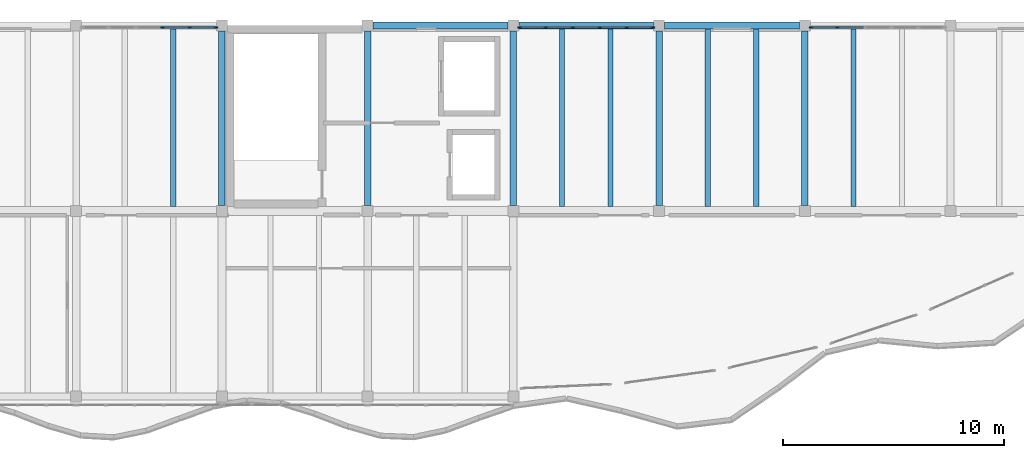
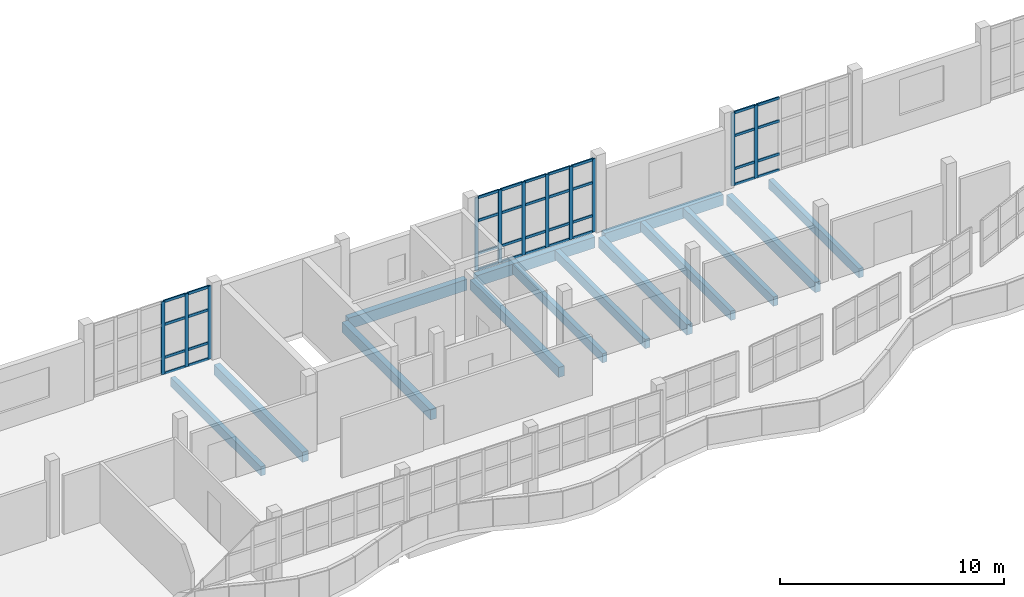
# One storey, part 14 of 47: 47 members, 14 beams, 3 elements without a shape of their own.
"""IFC4 building model written with IfcOpenShell, lengths in metres."""

from ifc_helpers import new_model, si_unit, direction, frame, origin, origin_2d, place, context, subcontext, project, spatial, rectangle, extrude, material, material_profile, profile_set, type_object, element, aggregate, save


model = new_model("IFC4")

# Units and contexts
model_context = context("Model", 3, precision=1e-05, world=origin(), true_north=direction((0.0, 1.0)))
body_context = subcontext(model_context, "Body", "Model", "MODEL_VIEW")
ifc_project = project(units=[si_unit("LENGTHUNIT", "METRE"), si_unit("AREAUNIT", "SQUARE_METRE"), si_unit("VOLUMEUNIT", "CUBIC_METRE"), si_unit("PLANEANGLEUNIT", "RADIAN"), si_unit("MASSUNIT", "GRAM", prefix="KILO")], contexts=[model_context])

# Site, building, storey
site_placement = place(None, origin())
site = spatial("IfcSite", under=ifc_project, at=site_placement, CompositionType="ELEMENT")
building_placement = place(site_placement, origin())
building = spatial("IfcBuilding", under=site, at=building_placement, Name="Qaldarim Faculty of Natural and Applied Sciences", CompositionType="ELEMENT")
storey_placement = place(building_placement, frame((0.0, 0.0, 22.800048828125)))
storey = spatial("IfcBuildingStorey", under=building, at=storey_placement, Name="L05", CompositionType="ELEMENT", Elevation=22.800048828125)

# Beams
ifc_material_1 = material(Name="Concrete C40/50", Category="concrete")
ifc_material_profile_1 = material_profile(ifc_material_1, rectangle(XDim=0.300048828125, YDim=0.550048828125, at=origin_2d()), Name="RC-B300x550")
ifc_profile_set_1 = profile_set([ifc_material_profile_1], Name="Concrete C40/50")
beam_type_1 = type_object("IfcBeamType", Name="FloorBeam-RC300x550", PredefinedType="BEAM", material=ifc_profile_set_1)
for number, where, z_axis, x_axis, name in (
    (1, (99.0, 109.449951171875, -0.53515625), (0.0, 1.0, 0.0), (-1.0, 0.0, 0.0), "Beam RC-B300x550 L04 X16/Y14-Y15"),
    (2, (105.60009765625, 109.449951171875, -0.53515625), (0.0, 1.0, 0.0), (-1.0, 0.0, 0.0), "Beam RC-B300x550 L04 X17/Y14-Y15"),
    (3, (112.199951171875, 109.449951171875, -0.53515625), (0.0, 1.0, 0.0), (-1.0, 0.0, 0.0), "Beam RC-B300x550 L04 X18/Y14-Y15"),
    (4, (118.800048828125, 109.449951171875, -0.53515625), (0.0, 1.0, 0.0), (-1.0, 0.0, 0.0), "Beam RC-B300x550 L04 X19/Y14-Y15"),
    (5, (125.39990234375, 109.449951171875, -0.53515625), (0.0, 1.0, 0.0), (-1.0, 0.0, 0.0), "Beam RC-B300x550 L04 X20/Y14-Y15"),
):
    element("IfcBeam", number, at=place(storey_placement, frame(where, z_axis=z_axis, x_axis=x_axis)), inside=storey, type_object=beam_type_1, Name=name, PredefinedType="BEAM", context=body_context, shape_type="SweptSolid", body=[
        extrude(rectangle(XDim=0.300048828125, YDim=0.550048828125, at=origin_2d()), origin(), (0.0, 0.0, 1.0), 7.900146484375),
    ])
ifc_material_profile_2 = material_profile(ifc_material_1, rectangle(XDim=0.239990234375, YDim=0.5, at=origin_2d()), Name="RC-J240x500")
ifc_profile_set_2 = profile_set([ifc_material_profile_2], Name="Concrete C40/50")
beam_type_2 = type_object("IfcBeamType", Name="HeavyJoist-RC240x500", PredefinedType="JOIST", material=ifc_profile_set_2)
for number, where, z_axis, x_axis, name in (
    (6, (96.800048828125, 109.39990234375, -0.510009765625), (0.0, 1.0, 0.0), (-1.0, 0.0, 0.0), "Laboratory joist L04 bay X15Y14-2"),
    (7, (114.39990234375, 109.39990234375, -0.510009765625), (0.0, 1.0, 0.0), (-1.0, 0.0, 0.0), "Laboratory joist L04 bay X18Y14-1"),
    (8, (116.60009765625, 109.39990234375, -0.510009765625), (0.0, 1.0, 0.0), (-1.0, 0.0, 0.0), "Laboratory joist L04 bay X18Y14-2"),
    (9, (121.0, 109.39990234375, -0.510009765625), (0.0, 1.0, 0.0), (-1.0, 0.0, 0.0), "Laboratory joist L04 bay X19Y14-1"),
    (10, (123.199951171875, 109.39990234375, -0.510009765625), (0.0, 1.0, 0.0), (-1.0, 0.0, 0.0), "Laboratory joist L04 bay X19Y14-2"),
    (11, (127.60009765625, 109.39990234375, -0.510009765625), (0.0, 1.0, 0.0), (-1.0, 0.0, 0.0), "Laboratory joist L04 bay X20Y14-1"),
):
    element("IfcBeam", number, at=place(storey_placement, frame(where, z_axis=z_axis, x_axis=x_axis)), inside=storey, type_object=beam_type_2, Name=name, PredefinedType="JOIST", context=body_context, shape_type="SweptSolid", body=[
        extrude(rectangle(XDim=0.239990234375, YDim=0.5, at=origin_2d()), origin(), (0.0, 0.0, 1.0), 8.050048828125),
    ])

# Curtain wall, members
ifc_material_2 = material(Name="Anodised aluminium AW-6063", Category="aluminium")
curtain_wall_type = type_object("IfcCurtainWallType", Name="CurtainWallSystem-M1200", PredefinedType="USERDEFINED", material=ifc_material_2)
curtain_wall_1_placement = place(storey_placement, origin())
curtain_wall_1 = element("IfcCurtainWall", 12, at=curtain_wall_1_placement, inside=storey, type_object=curtain_wall_type, Name="Curtain wall CW-L05-N-X15Y14", ObjectType="STICK CURTAIN WALL", PredefinedType="USERDEFINED")
ifc_material_profile_3 = material_profile(ifc_material_2, rectangle(XDim=0.070068359375, YDim=0.179931640625, at=origin_2d()), Name="ALU-M70x180")
ifc_profile_set_3 = profile_set([ifc_material_profile_3], Name="Anodised aluminium AW-6063")
member_type_1 = type_object("IfcMemberType", Name="Mullion-ALU70x180", PredefinedType="MULLION", material=ifc_profile_set_3)
member_1_placement = place(storey_placement, frame((98.719970703125, 117.52001953125, 0.0), z_axis=(0.0, 0.0, 1.0), x_axis=(0.0, -1.0, 0.0)))
member_1 = element("IfcMember", 13, at=member_1_placement, type_object=member_type_1, Name="Mullion 1 of CW-L05-N-X15Y14", PredefinedType="MULLION", context=body_context, shape_type="SweptSolid", body=[
    extrude(rectangle(XDim=0.070068359375, YDim=0.179931640625, at=origin_2d()), origin(), (0.0, 0.0, 1.0), 3.97998046875),
])
member_2_placement = place(storey_placement, frame((97.532958984375, 117.52001953125, 0.0), z_axis=(0.0, 0.0, 1.0), x_axis=(0.0, -1.0, 0.0)))
member_2 = element("IfcMember", 14, at=member_2_placement, type_object=member_type_1, Name="Mullion 2 of CW-L05-N-X15Y14", PredefinedType="MULLION", context=body_context, shape_type="SweptSolid", body=[
    extrude(rectangle(XDim=0.070068359375, YDim=0.179931640625, at=origin_2d()), origin(), (0.0, 0.0, 1.0), 3.97998046875),
])
member_3_placement = place(storey_placement, frame((96.31103515625, 117.52001953125, 0.0), z_axis=(0.0, 0.0, 1.0), x_axis=(0.0, -1.0, 0.0)))
member_3 = element("IfcMember", 15, at=member_3_placement, type_object=member_type_1, Name="Mullion 3 of CW-L05-N-X15Y14", PredefinedType="MULLION", context=body_context, shape_type="SweptSolid", body=[
    extrude(rectangle(XDim=0.070068359375, YDim=0.179931640625, at=origin_2d()), origin(), (0.0, 0.0, 1.0), 3.97998046875),
])

curtain_wall_2_placement = place(storey_placement, origin())
curtain_wall_2 = element("IfcCurtainWall", 16, at=curtain_wall_2_placement, inside=storey, type_object=curtain_wall_type, Name="Curtain wall CW-L05-N-X18Y14", ObjectType="STICK CURTAIN WALL", PredefinedType="USERDEFINED")
member_4_placement = place(storey_placement, frame((118.52001953125, 117.52001953125, 0.0), z_axis=(0.0, 0.0, 1.0), x_axis=(0.0, -1.0, 0.0)))
member_4 = element("IfcMember", 17, at=member_4_placement, type_object=member_type_1, Name="Mullion 1 of CW-L05-N-X18Y14", PredefinedType="MULLION", context=body_context, shape_type="SweptSolid", body=[
    extrude(rectangle(XDim=0.070068359375, YDim=0.179931640625, at=origin_2d()), origin(), (0.0, 0.0, 1.0), 3.97998046875),
])
member_5_placement = place(storey_placement, frame((117.3330078125, 117.52001953125, 0.0), z_axis=(0.0, 0.0, 1.0), x_axis=(0.0, -1.0, 0.0)))
member_5 = element("IfcMember", 18, at=member_5_placement, type_object=member_type_1, Name="Mullion 2 of CW-L05-N-X18Y14", PredefinedType="MULLION", context=body_context, shape_type="SweptSolid", body=[
    extrude(rectangle(XDim=0.070068359375, YDim=0.179931640625, at=origin_2d()), origin(), (0.0, 0.0, 1.0), 3.97998046875),
])
member_6_placement = place(storey_placement, frame((116.111083984375, 117.52001953125, 0.0), z_axis=(0.0, 0.0, 1.0), x_axis=(0.0, -1.0, 0.0)))
member_6 = element("IfcMember", 19, at=member_6_placement, type_object=member_type_1, Name="Mullion 3 of CW-L05-N-X18Y14", PredefinedType="MULLION", context=body_context, shape_type="SweptSolid", body=[
    extrude(rectangle(XDim=0.070068359375, YDim=0.179931640625, at=origin_2d()), origin(), (0.0, 0.0, 1.0), 3.97998046875),
])
member_7_placement = place(storey_placement, frame((114.888916015625, 117.52001953125, 0.0), z_axis=(0.0, 0.0, 1.0), x_axis=(0.0, -1.0, 0.0)))
member_7 = element("IfcMember", 20, at=member_7_placement, type_object=member_type_1, Name="Mullion 4 of CW-L05-N-X18Y14", PredefinedType="MULLION", context=body_context, shape_type="SweptSolid", body=[
    extrude(rectangle(XDim=0.070068359375, YDim=0.179931640625, at=origin_2d()), origin(), (0.0, 0.0, 1.0), 3.97998046875),
])
member_8_placement = place(storey_placement, frame((113.6669921875, 117.52001953125, 0.0), z_axis=(0.0, 0.0, 1.0), x_axis=(0.0, -1.0, 0.0)))
member_8 = element("IfcMember", 21, at=member_8_placement, type_object=member_type_1, Name="Mullion 5 of CW-L05-N-X18Y14", PredefinedType="MULLION", context=body_context, shape_type="SweptSolid", body=[
    extrude(rectangle(XDim=0.070068359375, YDim=0.179931640625, at=origin_2d()), origin(), (0.0, 0.0, 1.0), 3.97998046875),
])
member_9_placement = place(storey_placement, frame((112.47998046875, 117.52001953125, 0.0), z_axis=(0.0, 0.0, 1.0), x_axis=(0.0, -1.0, 0.0)))
member_9 = element("IfcMember", 22, at=member_9_placement, type_object=member_type_1, Name="Mullion 6 of CW-L05-N-X18Y14", PredefinedType="MULLION", context=body_context, shape_type="SweptSolid", body=[
    extrude(rectangle(XDim=0.070068359375, YDim=0.179931640625, at=origin_2d()), origin(), (0.0, 0.0, 1.0), 3.97998046875),
])

curtain_wall_3_placement = place(storey_placement, origin())
curtain_wall_3 = element("IfcCurtainWall", 23, at=curtain_wall_3_placement, inside=storey, type_object=curtain_wall_type, Name="Curtain wall CW-L05-N-X20Y14", ObjectType="STICK CURTAIN WALL", PredefinedType="USERDEFINED")
member_10_placement = place(storey_placement, frame((126.866943359375, 117.52001953125, 0.0), z_axis=(0.0, 0.0, 1.0), x_axis=(0.0, -1.0, 0.0)))
member_10 = element("IfcMember", 24, at=member_10_placement, type_object=member_type_1, Name="Mullion 5 of CW-L05-N-X20Y14", PredefinedType="MULLION", context=body_context, shape_type="SweptSolid", body=[
    extrude(rectangle(XDim=0.070068359375, YDim=0.179931640625, at=origin_2d()), origin(), (0.0, 0.0, 1.0), 3.97998046875),
])
member_11_placement = place(storey_placement, frame((125.679931640625, 117.52001953125, 0.0), z_axis=(0.0, 0.0, 1.0), x_axis=(0.0, -1.0, 0.0)))
member_11 = element("IfcMember", 25, at=member_11_placement, type_object=member_type_1, Name="Mullion 6 of CW-L05-N-X20Y14", PredefinedType="MULLION", context=body_context, shape_type="SweptSolid", body=[
    extrude(rectangle(XDim=0.070068359375, YDim=0.179931640625, at=origin_2d()), origin(), (0.0, 0.0, 1.0), 3.97998046875),
])

# Beams
ifc_material_3 = material(Name="Precast concrete C40/50", Category="concrete")
ifc_material_profile_4 = material_profile(ifc_material_3, rectangle(XDim=0.300048828125, YDim=0.60009765625, at=origin_2d()), Name="RC-SP300x600")
ifc_profile_set_4 = profile_set([ifc_material_profile_4], Name="Precast concrete C40/50")
beam_type_3 = type_object("IfcBeamType", Name="SpandrelBeam-RC300x600", PredefinedType="SPANDREL", material=ifc_profile_set_4)
beam_1_placement = place(storey_placement, frame((105.85009765625, 117.60009765625, -0.56005859375), z_axis=(1.0, 0.0, 0.0), x_axis=(0.0, 1.0, 0.0)))
element("IfcBeam", 26, at=beam_1_placement, inside=storey, type_object=beam_type_3, Name="Beam RC-SP300x600 L04 X17-X18/Y15", PredefinedType="SPANDREL", context=body_context, shape_type="SweptSolid", body=[
    extrude(rectangle(XDim=0.300048828125, YDim=0.60009765625, at=origin_2d()), origin(), (0.0, 0.0, 1.0), 6.099853515625),
])
beam_2_placement = place(storey_placement, frame((112.449951171875, 117.60009765625, -0.56005859375), z_axis=(1.0, 0.0, 0.0), x_axis=(0.0, 1.0, 0.0)))
element("IfcBeam", 27, at=beam_2_placement, inside=storey, type_object=beam_type_3, Name="Beam RC-SP300x600 L04 X18-X19/Y15", PredefinedType="SPANDREL", context=body_context, shape_type="SweptSolid", body=[
    extrude(rectangle(XDim=0.300048828125, YDim=0.60009765625, at=origin_2d()), origin(), (0.0, 0.0, 1.0), 6.10009765625),
])
beam_3_placement = place(storey_placement, frame((119.050048828125, 117.60009765625, -0.56005859375), z_axis=(1.0, 0.0, 0.0), x_axis=(0.0, 1.0, 0.0)))
element("IfcBeam", 28, at=beam_3_placement, inside=storey, type_object=beam_type_3, Name="Beam RC-SP300x600 L04 X19-X20/Y15", PredefinedType="SPANDREL", context=body_context, shape_type="SweptSolid", body=[
    extrude(rectangle(XDim=0.300048828125, YDim=0.60009765625, at=origin_2d()), origin(), (0.0, 0.0, 1.0), 6.099853515625),
])

# Member
ifc_material_profile_5 = material_profile(ifc_material_2, rectangle(XDim=0.070068359375, YDim=0.139892578125, at=origin_2d()), Name="ALU-T70x140")
ifc_profile_set_5 = profile_set([ifc_material_profile_5], Name="Anodised aluminium AW-6063")
member_type_2 = type_object("IfcMemberType", Name="Transom-ALU70x140", PredefinedType="USERDEFINED", material=ifc_profile_set_5)
member_12_placement = place(storey_placement, frame((98.68505859375, 117.52001953125, 0.034912109375), z_axis=(-1.0, 0.0, 0.0), x_axis=(0.0, -1.0, 0.0)))
member_12 = element("IfcMember", 29, at=member_12_placement, type_object=member_type_2, Name="Transom 1-1 of CW-L05-N-X15Y14", ObjectType="TRANSOM", PredefinedType="USERDEFINED", context=body_context, shape_type="SweptSolid", body=[
    extrude(rectangle(XDim=0.070068359375, YDim=0.139892578125, at=origin_2d()), origin(), (0.0, 0.0, 1.0), 1.116943359375),
])

member_13_placement = place(storey_placement, frame((98.68505859375, 117.52001953125, 0.89990234375), z_axis=(-1.0, 0.0, 0.0), x_axis=(0.0, -1.0, 0.0)))
member_13 = element("IfcMember", 30, at=member_13_placement, type_object=member_type_2, Name="Transom 1-2 of CW-L05-N-X15Y14", ObjectType="TRANSOM", PredefinedType="USERDEFINED", context=body_context, shape_type="SweptSolid", body=[
    extrude(rectangle(XDim=0.070068359375, YDim=0.139892578125, at=origin_2d()), origin(), (0.0, 0.0, 1.0), 1.116943359375),
])

member_14_placement = place(storey_placement, frame((98.68505859375, 117.52001953125, 2.699951171875), z_axis=(-1.0, 0.0, 0.0), x_axis=(0.0, -1.0, 0.0)))
member_14 = element("IfcMember", 31, at=member_14_placement, type_object=member_type_2, Name="Transom 1-3 of CW-L05-N-X15Y14", ObjectType="TRANSOM", PredefinedType="USERDEFINED", context=body_context, shape_type="SweptSolid", body=[
    extrude(rectangle(XDim=0.070068359375, YDim=0.139892578125, at=origin_2d()), origin(), (0.0, 0.0, 1.0), 1.116943359375),
])

member_15_placement = place(storey_placement, frame((98.68505859375, 117.52001953125, 3.945068359375), z_axis=(-1.0, 0.0, 0.0), x_axis=(0.0, -1.0, 0.0)))
member_15 = element("IfcMember", 32, at=member_15_placement, type_object=member_type_2, Name="Transom 1-4 of CW-L05-N-X15Y14", ObjectType="TRANSOM", PredefinedType="USERDEFINED", context=body_context, shape_type="SweptSolid", body=[
    extrude(rectangle(XDim=0.070068359375, YDim=0.139892578125, at=origin_2d()), origin(), (0.0, 0.0, 1.0), 1.116943359375),
])

member_16_placement = place(storey_placement, frame((97.498046875, 117.52001953125, 0.034912109375), z_axis=(-1.0, 0.0, 0.0), x_axis=(0.0, -1.0, 0.0)))
member_16 = element("IfcMember", 33, at=member_16_placement, type_object=member_type_2, Name="Transom 2-1 of CW-L05-N-X15Y14", ObjectType="TRANSOM", PredefinedType="USERDEFINED", context=body_context, shape_type="SweptSolid", body=[
    extrude(rectangle(XDim=0.070068359375, YDim=0.139892578125, at=origin_2d()), origin(), (0.0, 0.0, 1.0), 1.152099609375),
])

member_17_placement = place(storey_placement, frame((97.498046875, 117.52001953125, 0.89990234375), z_axis=(-1.0, 0.0, 0.0), x_axis=(0.0, -1.0, 0.0)))
member_17 = element("IfcMember", 34, at=member_17_placement, type_object=member_type_2, Name="Transom 2-2 of CW-L05-N-X15Y14", ObjectType="TRANSOM", PredefinedType="USERDEFINED", context=body_context, shape_type="SweptSolid", body=[
    extrude(rectangle(XDim=0.070068359375, YDim=0.139892578125, at=origin_2d()), origin(), (0.0, 0.0, 1.0), 1.152099609375),
])

member_18_placement = place(storey_placement, frame((97.498046875, 117.52001953125, 2.699951171875), z_axis=(-1.0, 0.0, 0.0), x_axis=(0.0, -1.0, 0.0)))
member_18 = element("IfcMember", 35, at=member_18_placement, type_object=member_type_2, Name="Transom 2-3 of CW-L05-N-X15Y14", ObjectType="TRANSOM", PredefinedType="USERDEFINED", context=body_context, shape_type="SweptSolid", body=[
    extrude(rectangle(XDim=0.070068359375, YDim=0.139892578125, at=origin_2d()), origin(), (0.0, 0.0, 1.0), 1.152099609375),
])

member_19_placement = place(storey_placement, frame((97.498046875, 117.52001953125, 3.945068359375), z_axis=(-1.0, 0.0, 0.0), x_axis=(0.0, -1.0, 0.0)))
member_19 = element("IfcMember", 36, at=member_19_placement, type_object=member_type_2, Name="Transom 2-4 of CW-L05-N-X15Y14", ObjectType="TRANSOM", PredefinedType="USERDEFINED", context=body_context, shape_type="SweptSolid", body=[
    extrude(rectangle(XDim=0.070068359375, YDim=0.139892578125, at=origin_2d()), origin(), (0.0, 0.0, 1.0), 1.152099609375),
])

aggregate(curtain_wall_1, [member_1, member_2, member_3, member_12, member_13, member_14, member_15, member_16, member_17, member_18, member_19])

member_20_placement = place(storey_placement, frame((118.485107421875, 117.52001953125, 0.034912109375), z_axis=(-1.0, 0.0, 0.0), x_axis=(0.0, -1.0, 0.0)))
member_20 = element("IfcMember", 37, at=member_20_placement, type_object=member_type_2, Name="Transom 1-1 of CW-L05-N-X18Y14", ObjectType="TRANSOM", PredefinedType="USERDEFINED", context=body_context, shape_type="SweptSolid", body=[
    extrude(rectangle(XDim=0.070068359375, YDim=0.139892578125, at=origin_2d()), origin(), (0.0, 0.0, 1.0), 1.1171875),
])

member_21_placement = place(storey_placement, frame((118.485107421875, 117.52001953125, 0.89990234375), z_axis=(-1.0, 0.0, 0.0), x_axis=(0.0, -1.0, 0.0)))
member_21 = element("IfcMember", 38, at=member_21_placement, type_object=member_type_2, Name="Transom 1-2 of CW-L05-N-X18Y14", ObjectType="TRANSOM", PredefinedType="USERDEFINED", context=body_context, shape_type="SweptSolid", body=[
    extrude(rectangle(XDim=0.070068359375, YDim=0.139892578125, at=origin_2d()), origin(), (0.0, 0.0, 1.0), 1.1171875),
])

member_22_placement = place(storey_placement, frame((118.485107421875, 117.52001953125, 2.699951171875), z_axis=(-1.0, 0.0, 0.0), x_axis=(0.0, -1.0, 0.0)))
member_22 = element("IfcMember", 39, at=member_22_placement, type_object=member_type_2, Name="Transom 1-3 of CW-L05-N-X18Y14", ObjectType="TRANSOM", PredefinedType="USERDEFINED", context=body_context, shape_type="SweptSolid", body=[
    extrude(rectangle(XDim=0.070068359375, YDim=0.139892578125, at=origin_2d()), origin(), (0.0, 0.0, 1.0), 1.1171875),
])

member_23_placement = place(storey_placement, frame((118.485107421875, 117.52001953125, 3.945068359375), z_axis=(-1.0, 0.0, 0.0), x_axis=(0.0, -1.0, 0.0)))
member_23 = element("IfcMember", 40, at=member_23_placement, type_object=member_type_2, Name="Transom 1-4 of CW-L05-N-X18Y14", ObjectType="TRANSOM", PredefinedType="USERDEFINED", context=body_context, shape_type="SweptSolid", body=[
    extrude(rectangle(XDim=0.070068359375, YDim=0.139892578125, at=origin_2d()), origin(), (0.0, 0.0, 1.0), 1.1171875),
])

member_24_placement = place(storey_placement, frame((117.298095703125, 117.52001953125, 0.034912109375), z_axis=(-1.0, 0.0, 0.0), x_axis=(0.0, -1.0, 0.0)))
member_24 = element("IfcMember", 41, at=member_24_placement, type_object=member_type_2, Name="Transom 2-1 of CW-L05-N-X18Y14", ObjectType="TRANSOM", PredefinedType="USERDEFINED", context=body_context, shape_type="SweptSolid", body=[
    extrude(rectangle(XDim=0.070068359375, YDim=0.139892578125, at=origin_2d()), origin(), (0.0, 0.0, 1.0), 1.152099609375),
])

member_25_placement = place(storey_placement, frame((117.298095703125, 117.52001953125, 0.89990234375), z_axis=(-1.0, 0.0, 0.0), x_axis=(0.0, -1.0, 0.0)))
member_25 = element("IfcMember", 42, at=member_25_placement, type_object=member_type_2, Name="Transom 2-2 of CW-L05-N-X18Y14", ObjectType="TRANSOM", PredefinedType="USERDEFINED", context=body_context, shape_type="SweptSolid", body=[
    extrude(rectangle(XDim=0.070068359375, YDim=0.139892578125, at=origin_2d()), origin(), (0.0, 0.0, 1.0), 1.152099609375),
])

member_26_placement = place(storey_placement, frame((117.298095703125, 117.52001953125, 2.699951171875), z_axis=(-1.0, 0.0, 0.0), x_axis=(0.0, -1.0, 0.0)))
member_26 = element("IfcMember", 43, at=member_26_placement, type_object=member_type_2, Name="Transom 2-3 of CW-L05-N-X18Y14", ObjectType="TRANSOM", PredefinedType="USERDEFINED", context=body_context, shape_type="SweptSolid", body=[
    extrude(rectangle(XDim=0.070068359375, YDim=0.139892578125, at=origin_2d()), origin(), (0.0, 0.0, 1.0), 1.152099609375),
])

member_27_placement = place(storey_placement, frame((117.298095703125, 117.52001953125, 3.945068359375), z_axis=(-1.0, 0.0, 0.0), x_axis=(0.0, -1.0, 0.0)))
member_27 = element("IfcMember", 44, at=member_27_placement, type_object=member_type_2, Name="Transom 2-4 of CW-L05-N-X18Y14", ObjectType="TRANSOM", PredefinedType="USERDEFINED", context=body_context, shape_type="SweptSolid", body=[
    extrude(rectangle(XDim=0.070068359375, YDim=0.139892578125, at=origin_2d()), origin(), (0.0, 0.0, 1.0), 1.152099609375),
])

member_28_placement = place(storey_placement, frame((116.075927734375, 117.52001953125, 0.034912109375), z_axis=(-1.0, 0.0, 0.0), x_axis=(0.0, -1.0, 0.0)))
member_28 = element("IfcMember", 45, at=member_28_placement, type_object=member_type_2, Name="Transom 3-1 of CW-L05-N-X18Y14", ObjectType="TRANSOM", PredefinedType="USERDEFINED", context=body_context, shape_type="SweptSolid", body=[
    extrude(rectangle(XDim=0.070068359375, YDim=0.139892578125, at=origin_2d()), origin(), (0.0, 0.0, 1.0), 1.15185546875),
])

member_29_placement = place(storey_placement, frame((116.075927734375, 117.52001953125, 0.89990234375), z_axis=(-1.0, 0.0, 0.0), x_axis=(0.0, -1.0, 0.0)))
member_29 = element("IfcMember", 46, at=member_29_placement, type_object=member_type_2, Name="Transom 3-2 of CW-L05-N-X18Y14", ObjectType="TRANSOM", PredefinedType="USERDEFINED", context=body_context, shape_type="SweptSolid", body=[
    extrude(rectangle(XDim=0.070068359375, YDim=0.139892578125, at=origin_2d()), origin(), (0.0, 0.0, 1.0), 1.15185546875),
])

member_30_placement = place(storey_placement, frame((116.075927734375, 117.52001953125, 2.699951171875), z_axis=(-1.0, 0.0, 0.0), x_axis=(0.0, -1.0, 0.0)))
member_30 = element("IfcMember", 47, at=member_30_placement, type_object=member_type_2, Name="Transom 3-3 of CW-L05-N-X18Y14", ObjectType="TRANSOM", PredefinedType="USERDEFINED", context=body_context, shape_type="SweptSolid", body=[
    extrude(rectangle(XDim=0.070068359375, YDim=0.139892578125, at=origin_2d()), origin(), (0.0, 0.0, 1.0), 1.15185546875),
])

member_31_placement = place(storey_placement, frame((116.075927734375, 117.52001953125, 3.945068359375), z_axis=(-1.0, 0.0, 0.0), x_axis=(0.0, -1.0, 0.0)))
member_31 = element("IfcMember", 48, at=member_31_placement, type_object=member_type_2, Name="Transom 3-4 of CW-L05-N-X18Y14", ObjectType="TRANSOM", PredefinedType="USERDEFINED", context=body_context, shape_type="SweptSolid", body=[
    extrude(rectangle(XDim=0.070068359375, YDim=0.139892578125, at=origin_2d()), origin(), (0.0, 0.0, 1.0), 1.15185546875),
])

member_32_placement = place(storey_placement, frame((114.85400390625, 117.52001953125, 0.034912109375), z_axis=(-1.0, 0.0, 0.0), x_axis=(0.0, -1.0, 0.0)))
member_32 = element("IfcMember", 49, at=member_32_placement, type_object=member_type_2, Name="Transom 4-1 of CW-L05-N-X18Y14", ObjectType="TRANSOM", PredefinedType="USERDEFINED", context=body_context, shape_type="SweptSolid", body=[
    extrude(rectangle(XDim=0.070068359375, YDim=0.139892578125, at=origin_2d()), origin(), (0.0, 0.0, 1.0), 1.152099609375),
])

member_33_placement = place(storey_placement, frame((114.85400390625, 117.52001953125, 0.89990234375), z_axis=(-1.0, 0.0, 0.0), x_axis=(0.0, -1.0, 0.0)))
member_33 = element("IfcMember", 50, at=member_33_placement, type_object=member_type_2, Name="Transom 4-2 of CW-L05-N-X18Y14", ObjectType="TRANSOM", PredefinedType="USERDEFINED", context=body_context, shape_type="SweptSolid", body=[
    extrude(rectangle(XDim=0.070068359375, YDim=0.139892578125, at=origin_2d()), origin(), (0.0, 0.0, 1.0), 1.152099609375),
])

member_34_placement = place(storey_placement, frame((114.85400390625, 117.52001953125, 2.699951171875), z_axis=(-1.0, 0.0, 0.0), x_axis=(0.0, -1.0, 0.0)))
member_34 = element("IfcMember", 51, at=member_34_placement, type_object=member_type_2, Name="Transom 4-3 of CW-L05-N-X18Y14", ObjectType="TRANSOM", PredefinedType="USERDEFINED", context=body_context, shape_type="SweptSolid", body=[
    extrude(rectangle(XDim=0.070068359375, YDim=0.139892578125, at=origin_2d()), origin(), (0.0, 0.0, 1.0), 1.152099609375),
])

member_35_placement = place(storey_placement, frame((114.85400390625, 117.52001953125, 3.945068359375), z_axis=(-1.0, 0.0, 0.0), x_axis=(0.0, -1.0, 0.0)))
member_35 = element("IfcMember", 52, at=member_35_placement, type_object=member_type_2, Name="Transom 4-4 of CW-L05-N-X18Y14", ObjectType="TRANSOM", PredefinedType="USERDEFINED", context=body_context, shape_type="SweptSolid", body=[
    extrude(rectangle(XDim=0.070068359375, YDim=0.139892578125, at=origin_2d()), origin(), (0.0, 0.0, 1.0), 1.152099609375),
])

member_36_placement = place(storey_placement, frame((113.632080078125, 117.52001953125, 0.034912109375), z_axis=(-1.0, 0.0, 0.0), x_axis=(0.0, -1.0, 0.0)))
member_36 = element("IfcMember", 53, at=member_36_placement, type_object=member_type_2, Name="Transom 5-1 of CW-L05-N-X18Y14", ObjectType="TRANSOM", PredefinedType="USERDEFINED", context=body_context, shape_type="SweptSolid", body=[
    extrude(rectangle(XDim=0.070068359375, YDim=0.139892578125, at=origin_2d()), origin(), (0.0, 0.0, 1.0), 1.1171875),
])

member_37_placement = place(storey_placement, frame((113.632080078125, 117.52001953125, 0.89990234375), z_axis=(-1.0, 0.0, 0.0), x_axis=(0.0, -1.0, 0.0)))
member_37 = element("IfcMember", 54, at=member_37_placement, type_object=member_type_2, Name="Transom 5-2 of CW-L05-N-X18Y14", ObjectType="TRANSOM", PredefinedType="USERDEFINED", context=body_context, shape_type="SweptSolid", body=[
    extrude(rectangle(XDim=0.070068359375, YDim=0.139892578125, at=origin_2d()), origin(), (0.0, 0.0, 1.0), 1.1171875),
])

member_38_placement = place(storey_placement, frame((113.632080078125, 117.52001953125, 2.699951171875), z_axis=(-1.0, 0.0, 0.0), x_axis=(0.0, -1.0, 0.0)))
member_38 = element("IfcMember", 55, at=member_38_placement, type_object=member_type_2, Name="Transom 5-3 of CW-L05-N-X18Y14", ObjectType="TRANSOM", PredefinedType="USERDEFINED", context=body_context, shape_type="SweptSolid", body=[
    extrude(rectangle(XDim=0.070068359375, YDim=0.139892578125, at=origin_2d()), origin(), (0.0, 0.0, 1.0), 1.1171875),
])

member_39_placement = place(storey_placement, frame((113.632080078125, 117.52001953125, 3.945068359375), z_axis=(-1.0, 0.0, 0.0), x_axis=(0.0, -1.0, 0.0)))
member_39 = element("IfcMember", 56, at=member_39_placement, type_object=member_type_2, Name="Transom 5-4 of CW-L05-N-X18Y14", ObjectType="TRANSOM", PredefinedType="USERDEFINED", context=body_context, shape_type="SweptSolid", body=[
    extrude(rectangle(XDim=0.070068359375, YDim=0.139892578125, at=origin_2d()), origin(), (0.0, 0.0, 1.0), 1.1171875),
])

aggregate(curtain_wall_2, [member_4, member_5, member_6, member_7, member_8, member_9, member_20, member_21, member_22, member_23, member_24, member_25, member_26, member_27, member_28, member_29, member_30, member_31, member_32, member_33, member_34, member_35, member_36, member_37, member_38, member_39])

member_40_placement = place(storey_placement, frame((128.053955078125, 117.52001953125, 0.034912109375), z_axis=(-1.0, 0.0, 0.0), x_axis=(0.0, -1.0, 0.0)))
member_40 = element("IfcMember", 57, at=member_40_placement, type_object=member_type_2, Name="Transom 4-1 of CW-L05-N-X20Y14", ObjectType="TRANSOM", PredefinedType="USERDEFINED", context=body_context, shape_type="SweptSolid", body=[
    extrude(rectangle(XDim=0.070068359375, YDim=0.139892578125, at=origin_2d()), origin(), (0.0, 0.0, 1.0), 1.15185546875),
])

member_41_placement = place(storey_placement, frame((128.053955078125, 117.52001953125, 0.89990234375), z_axis=(-1.0, 0.0, 0.0), x_axis=(0.0, -1.0, 0.0)))
member_41 = element("IfcMember", 58, at=member_41_placement, type_object=member_type_2, Name="Transom 4-2 of CW-L05-N-X20Y14", ObjectType="TRANSOM", PredefinedType="USERDEFINED", context=body_context, shape_type="SweptSolid", body=[
    extrude(rectangle(XDim=0.070068359375, YDim=0.139892578125, at=origin_2d()), origin(), (0.0, 0.0, 1.0), 1.15185546875),
])

member_42_placement = place(storey_placement, frame((128.053955078125, 117.52001953125, 2.699951171875), z_axis=(-1.0, 0.0, 0.0), x_axis=(0.0, -1.0, 0.0)))
member_42 = element("IfcMember", 59, at=member_42_placement, type_object=member_type_2, Name="Transom 4-3 of CW-L05-N-X20Y14", ObjectType="TRANSOM", PredefinedType="USERDEFINED", context=body_context, shape_type="SweptSolid", body=[
    extrude(rectangle(XDim=0.070068359375, YDim=0.139892578125, at=origin_2d()), origin(), (0.0, 0.0, 1.0), 1.15185546875),
])

member_43_placement = place(storey_placement, frame((128.053955078125, 117.52001953125, 3.945068359375), z_axis=(-1.0, 0.0, 0.0), x_axis=(0.0, -1.0, 0.0)))
member_43 = element("IfcMember", 60, at=member_43_placement, type_object=member_type_2, Name="Transom 4-4 of CW-L05-N-X20Y14", ObjectType="TRANSOM", PredefinedType="USERDEFINED", context=body_context, shape_type="SweptSolid", body=[
    extrude(rectangle(XDim=0.070068359375, YDim=0.139892578125, at=origin_2d()), origin(), (0.0, 0.0, 1.0), 1.15185546875),
])

member_44_placement = place(storey_placement, frame((126.83203125, 117.52001953125, 0.034912109375), z_axis=(-1.0, 0.0, 0.0), x_axis=(0.0, -1.0, 0.0)))
member_44 = element("IfcMember", 61, at=member_44_placement, type_object=member_type_2, Name="Transom 5-1 of CW-L05-N-X20Y14", ObjectType="TRANSOM", PredefinedType="USERDEFINED", context=body_context, shape_type="SweptSolid", body=[
    extrude(rectangle(XDim=0.070068359375, YDim=0.139892578125, at=origin_2d()), origin(), (0.0, 0.0, 1.0), 1.116943359375),
])

member_45_placement = place(storey_placement, frame((126.83203125, 117.52001953125, 0.89990234375), z_axis=(-1.0, 0.0, 0.0), x_axis=(0.0, -1.0, 0.0)))
member_45 = element("IfcMember", 62, at=member_45_placement, type_object=member_type_2, Name="Transom 5-2 of CW-L05-N-X20Y14", ObjectType="TRANSOM", PredefinedType="USERDEFINED", context=body_context, shape_type="SweptSolid", body=[
    extrude(rectangle(XDim=0.070068359375, YDim=0.139892578125, at=origin_2d()), origin(), (0.0, 0.0, 1.0), 1.116943359375),
])

member_46_placement = place(storey_placement, frame((126.83203125, 117.52001953125, 2.699951171875), z_axis=(-1.0, 0.0, 0.0), x_axis=(0.0, -1.0, 0.0)))
member_46 = element("IfcMember", 63, at=member_46_placement, type_object=member_type_2, Name="Transom 5-3 of CW-L05-N-X20Y14", ObjectType="TRANSOM", PredefinedType="USERDEFINED", context=body_context, shape_type="SweptSolid", body=[
    extrude(rectangle(XDim=0.070068359375, YDim=0.139892578125, at=origin_2d()), origin(), (0.0, 0.0, 1.0), 1.116943359375),
])

member_47_placement = place(storey_placement, frame((126.83203125, 117.52001953125, 3.945068359375), z_axis=(-1.0, 0.0, 0.0), x_axis=(0.0, -1.0, 0.0)))
member_47 = element("IfcMember", 64, at=member_47_placement, type_object=member_type_2, Name="Transom 5-4 of CW-L05-N-X20Y14", ObjectType="TRANSOM", PredefinedType="USERDEFINED", context=body_context, shape_type="SweptSolid", body=[
    extrude(rectangle(XDim=0.070068359375, YDim=0.139892578125, at=origin_2d()), origin(), (0.0, 0.0, 1.0), 1.116943359375),
])

aggregate(curtain_wall_3, [member_10, member_11, member_40, member_41, member_42, member_43, member_44, member_45, member_46, member_47])

save(model, "model.ifc")
